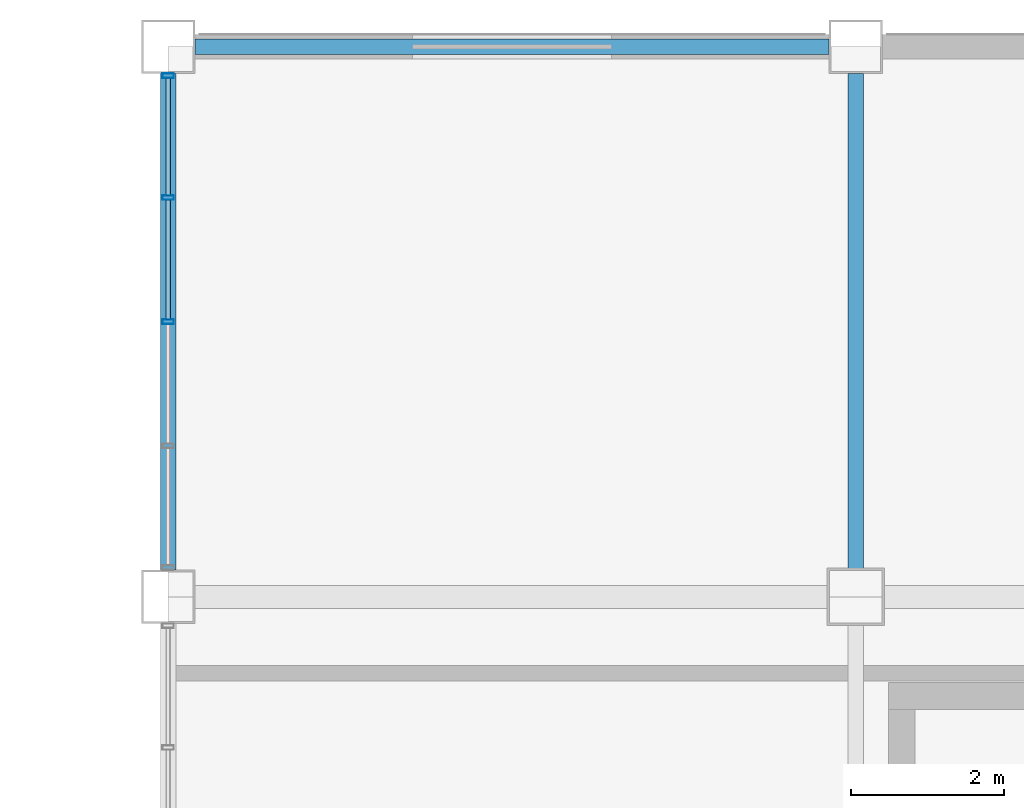
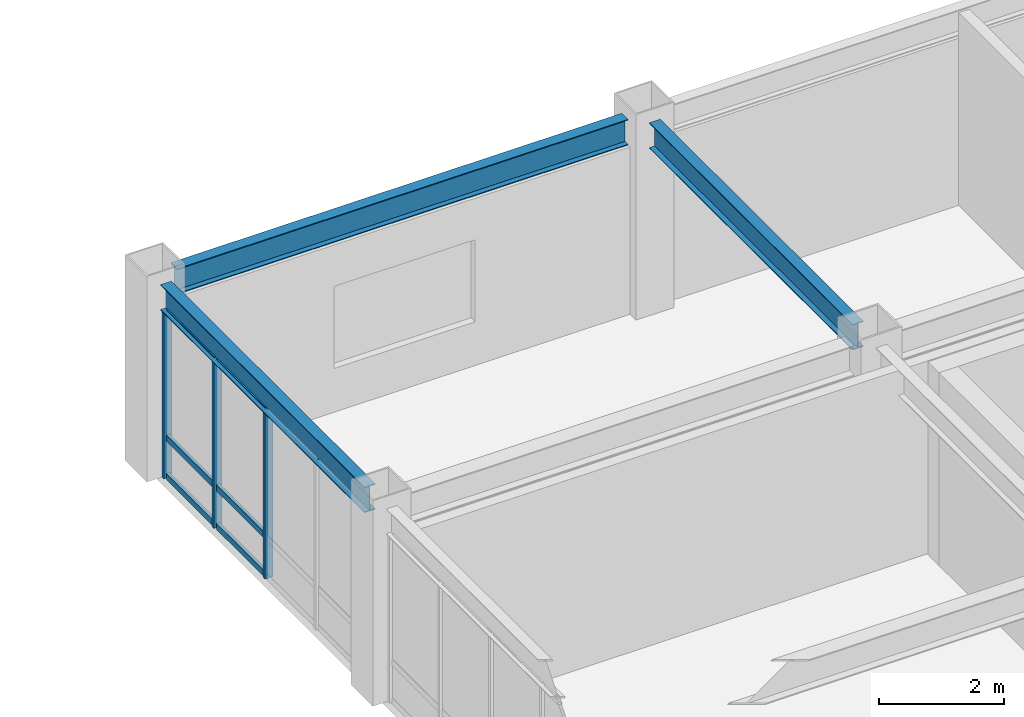
# One storey, part 85 of 122: 9 members, 3 beams, 1 element without a shape of its own.
"""IFC4 building model written with IfcOpenShell, lengths in metres."""

from ifc_helpers import new_model, si_unit, direction, frame, origin, origin_2d, place, context, subcontext, project, spatial, hollow_rectangle, i_section, extrude, material, material_profile, profile_set, type_object, element, aggregate, save


model = new_model("IFC4")

# Units and contexts
model_context = context("Model", 3, precision=1e-05, world=origin(), true_north=direction((0.0, 1.0)))
body_context = subcontext(model_context, "Body", "Model", "MODEL_VIEW")
ifc_project = project(units=[si_unit("LENGTHUNIT", "METRE"), si_unit("AREAUNIT", "SQUARE_METRE"), si_unit("VOLUMEUNIT", "CUBIC_METRE"), si_unit("PLANEANGLEUNIT", "RADIAN"), si_unit("MASSUNIT", "GRAM", prefix="KILO")], contexts=[model_context])

# Site, building, storey
site_placement = place(None, origin())
site = spatial("IfcSite", under=ifc_project, at=site_placement, CompositionType="ELEMENT")
building_placement = place(site_placement, origin())
building = spatial("IfcBuilding", under=site, at=building_placement, Name="Kazanami Central Library", CompositionType="ELEMENT")
storey_placement = place(building_placement, frame((0.0, 0.0, 4.800048828125)))
storey = spatial("IfcBuildingStorey", under=building, at=storey_placement, Name="L02", CompositionType="ELEMENT", Elevation=4.800048828125)

# Beams
ifc_material_1 = material(Name="Steel SN490B (325 MPa)", Category="steel")
ifc_material_profile_1 = material_profile(ifc_material_1, i_section(OverallWidth=0.199951171875, OverallDepth=0.5, WebThickness=0.010009765625, FlangeThickness=0.01611328125, at=origin_2d()), Name="H-500x200x10x16")
ifc_profile_set_1 = profile_set([ifc_material_profile_1], Name="Steel SN490B (325 MPa)")
beam_type_1 = type_object("IfcBeamType", Name="BM-G-Y2", PredefinedType="BEAM", material=ifc_profile_set_1)
beam_1_placement = place(storey_placement, frame((126.0, 86.77294921875, 3.5048828125), z_axis=(0.0, 1.0, 0.0), x_axis=(-1.0, 0.0, 0.0)))
element("IfcBeam", 1, at=beam_1_placement, inside=storey, type_object=beam_type_1, Name="Girder G-Y2 L02 15/N-O", PredefinedType="BEAM", context=body_context, shape_type="SweptSolid", body=[
    extrude(i_section(OverallWidth=0.199951171875, OverallDepth=0.5, WebThickness=0.010009765625, FlangeThickness=0.01611328125, at=origin_2d()), origin(), (0.0, 0.0, 1.0), 6.47900390625),
])
ifc_material_profile_2 = material_profile(ifc_material_1, i_section(OverallWidth=0.199951171875, OverallDepth=0.5, WebThickness=0.010009765625, FlangeThickness=0.01611328125, at=origin_2d()), Name="H-500x200x10x16")
ifc_profile_set_2 = profile_set([ifc_material_profile_2], Name="Steel SN490B (325 MPa)")
beam_type_2 = type_object("IfcBeamType", Name="BM-SP-1", PredefinedType="SPANDREL", material=ifc_profile_set_2)
beam_2_placement = place(storey_placement, frame((117.347900390625, 93.60009765625, 3.5048828125), z_axis=(1.0, 0.0, 0.0), x_axis=(0.0, 1.0, 0.0)))
element("IfcBeam", 2, at=beam_2_placement, inside=storey, type_object=beam_type_2, Name="Girder SP-1 L02 O/14-15", PredefinedType="SPANDREL", context=body_context, shape_type="SweptSolid", body=[
    extrude(i_section(OverallWidth=0.199951171875, OverallDepth=0.5, WebThickness=0.010009765625, FlangeThickness=0.01611328125, at=origin_2d()), origin(), (0.0, 0.0, 1.0), 8.30419921875),
])
beam_3_placement = place(storey_placement, frame((117.0, 86.748046875, 3.5048828125), z_axis=(0.0, 1.0, 0.0), x_axis=(-1.0, 0.0, 0.0)))
element("IfcBeam", 3, at=beam_3_placement, inside=storey, type_object=beam_type_2, Name="Girder SP-1 L02 14/N-O", PredefinedType="SPANDREL", context=body_context, shape_type="SweptSolid", body=[
    extrude(i_section(OverallWidth=0.199951171875, OverallDepth=0.5, WebThickness=0.010009765625, FlangeThickness=0.01611328125, at=origin_2d()), origin(), (0.0, 0.0, 1.0), 6.50390625),
])

# Curtain wall, members
ifc_material_2 = material(Name="Acid-Etched Low-E Laminated Glass", Category="glass")
curtain_wall_type = type_object("IfcCurtainWallType", Name="CW-6500x3255-M180", PredefinedType="USERDEFINED", material=ifc_material_2)
curtain_wall_placement = place(storey_placement, origin())
curtain_wall = element("IfcCurtainWall", 4, at=curtain_wall_placement, inside=storey, type_object=curtain_wall_type, Name="Covered Link Bridge Curtain Wall CW-23 L02 W-14-12", ObjectType="UNITISED CURTAIN WALL", PredefinedType="USERDEFINED")
ifc_material_3 = material(Name="Anodised Aluminium A6063-T5", Category="aluminium")
ifc_material_profile_3 = material_profile(ifc_material_3, hollow_rectangle(XDim=0.06005859375, YDim=0.14990234375, WallThickness=0.00390625, at=origin_2d()), Name="ALU-MULL-60x150x4")
ifc_profile_set_3 = profile_set([ifc_material_profile_3], Name="Anodised Aluminium A6063-T5")
member_type_1 = type_object("IfcMemberType", Name="MEM-CW-M3", PredefinedType="MULLION", material=ifc_profile_set_3)
member_1_placement = place(storey_placement, frame((117.0, 90.0, 0.0), z_axis=(0.0, 0.0, 1.0), x_axis=(0.0, 1.0, 0.0)))
member_1 = element("IfcMember", 5, at=member_1_placement, type_object=member_type_1, Name="CW-23 mullion 3", PredefinedType="MULLION", context=body_context, shape_type="SweptSolid", body=[
    extrude(hollow_rectangle(XDim=0.06005859375, YDim=0.14990234375, WallThickness=0.00390625, at=origin_2d()), origin(), (0.0, 0.0, 1.0), 3.2548828125),
])
member_2_placement = place(storey_placement, frame((117.0, 91.625, 0.0), z_axis=(0.0, 0.0, 1.0), x_axis=(0.0, 1.0, 0.0)))
member_2 = element("IfcMember", 6, at=member_2_placement, type_object=member_type_1, Name="CW-23 mullion 4", PredefinedType="MULLION", context=body_context, shape_type="SweptSolid", body=[
    extrude(hollow_rectangle(XDim=0.06005859375, YDim=0.14990234375, WallThickness=0.00390625, at=origin_2d()), origin(), (0.0, 0.0, 1.0), 3.2548828125),
])
member_3_placement = place(storey_placement, frame((117.0, 93.219970703125, 0.0), z_axis=(0.0, 0.0, 1.0), x_axis=(0.0, 1.0, 0.0)))
member_3 = element("IfcMember", 7, at=member_3_placement, type_object=member_type_1, Name="CW-23 mullion 5", PredefinedType="MULLION", context=body_context, shape_type="SweptSolid", body=[
    extrude(hollow_rectangle(XDim=0.06005859375, YDim=0.14990234375, WallThickness=0.00390625, at=origin_2d()), origin(), (0.0, 0.0, 1.0), 3.2548828125),
])
ifc_material_profile_4 = material_profile(ifc_material_3, hollow_rectangle(XDim=0.06005859375, YDim=0.1201171875, WallThickness=0.00341796875, at=origin_2d()), Name="ALU-TRAN-60x120x3.5")
ifc_profile_set_4 = profile_set([ifc_material_profile_4], Name="Anodised Aluminium A6063-T5")
member_type_2 = type_object("IfcMemberType", Name="MEM-CW-T3", PredefinedType="USERDEFINED", material=ifc_profile_set_4)
member_4_placement = place(storey_placement, frame((117.0, 90.030029296875, 0.030029296875), z_axis=(0.0, 1.0, 0.0), x_axis=(-1.0, 0.0, 0.0)))
member_4 = element("IfcMember", 8, at=member_4_placement, type_object=member_type_2, Name="CW-23 transom 3.1", ObjectType="TRANSOM", PredefinedType="USERDEFINED", context=body_context, shape_type="SweptSolid", body=[
    extrude(hollow_rectangle(XDim=0.06005859375, YDim=0.1201171875, WallThickness=0.00341796875, at=origin_2d()), origin(), (0.0, 0.0, 1.0), 1.56494140625),
])
member_5_placement = place(storey_placement, frame((117.0, 90.030029296875, 0.780029296875), z_axis=(0.0, 1.0, 0.0), x_axis=(-1.0, 0.0, 0.0)))
member_5 = element("IfcMember", 9, at=member_5_placement, type_object=member_type_2, Name="CW-23 transom 3.2", ObjectType="TRANSOM", PredefinedType="USERDEFINED", context=body_context, shape_type="SweptSolid", body=[
    extrude(hollow_rectangle(XDim=0.06005859375, YDim=0.1201171875, WallThickness=0.00341796875, at=origin_2d()), origin(), (0.0, 0.0, 1.0), 1.56494140625),
])
member_6_placement = place(storey_placement, frame((117.0, 90.030029296875, 3.224853515625), z_axis=(0.0, 1.0, 0.0), x_axis=(-1.0, 0.0, 0.0)))
member_6 = element("IfcMember", 10, at=member_6_placement, type_object=member_type_2, Name="CW-23 transom 3.3", ObjectType="TRANSOM", PredefinedType="USERDEFINED", context=body_context, shape_type="SweptSolid", body=[
    extrude(hollow_rectangle(XDim=0.06005859375, YDim=0.1201171875, WallThickness=0.00341796875, at=origin_2d()), origin(), (0.0, 0.0, 1.0), 1.56494140625),
])
member_7_placement = place(storey_placement, frame((117.0, 91.655029296875, 0.030029296875), z_axis=(0.0, 1.0, 0.0), x_axis=(-1.0, 0.0, 0.0)))
member_7 = element("IfcMember", 11, at=member_7_placement, type_object=member_type_2, Name="CW-23 transom 4.1", ObjectType="TRANSOM", PredefinedType="USERDEFINED", context=body_context, shape_type="SweptSolid", body=[
    extrude(hollow_rectangle(XDim=0.06005859375, YDim=0.1201171875, WallThickness=0.00341796875, at=origin_2d()), origin(), (0.0, 0.0, 1.0), 1.534912109375),
])
member_8_placement = place(storey_placement, frame((117.0, 91.655029296875, 0.780029296875), z_axis=(0.0, 1.0, 0.0), x_axis=(-1.0, 0.0, 0.0)))
member_8 = element("IfcMember", 12, at=member_8_placement, type_object=member_type_2, Name="CW-23 transom 4.2", ObjectType="TRANSOM", PredefinedType="USERDEFINED", context=body_context, shape_type="SweptSolid", body=[
    extrude(hollow_rectangle(XDim=0.06005859375, YDim=0.1201171875, WallThickness=0.00341796875, at=origin_2d()), origin(), (0.0, 0.0, 1.0), 1.534912109375),
])
member_9_placement = place(storey_placement, frame((117.0, 91.655029296875, 3.224853515625), z_axis=(0.0, 1.0, 0.0), x_axis=(-1.0, 0.0, 0.0)))
member_9 = element("IfcMember", 13, at=member_9_placement, type_object=member_type_2, Name="CW-23 transom 4.3", ObjectType="TRANSOM", PredefinedType="USERDEFINED", context=body_context, shape_type="SweptSolid", body=[
    extrude(hollow_rectangle(XDim=0.06005859375, YDim=0.1201171875, WallThickness=0.00341796875, at=origin_2d()), origin(), (0.0, 0.0, 1.0), 1.534912109375),
])
aggregate(curtain_wall, [member_1, member_2, member_3, member_4, member_5, member_6, member_7, member_8, member_9])

save(model, "model.ifc")
